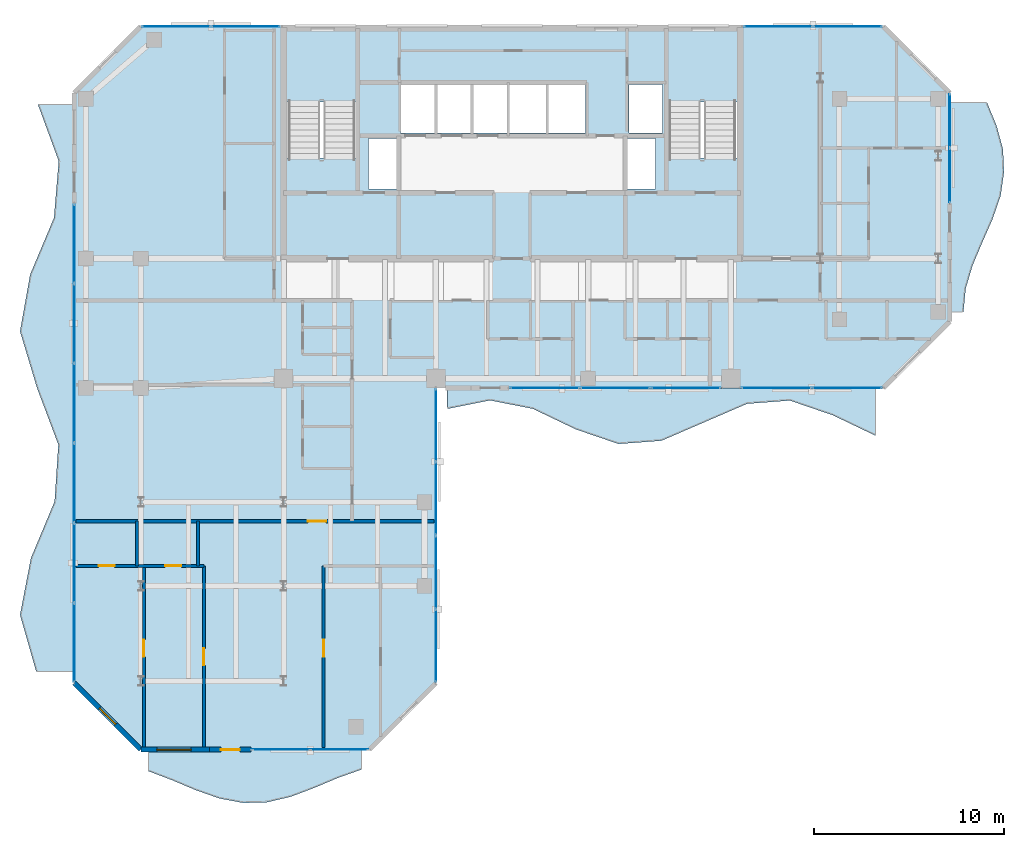
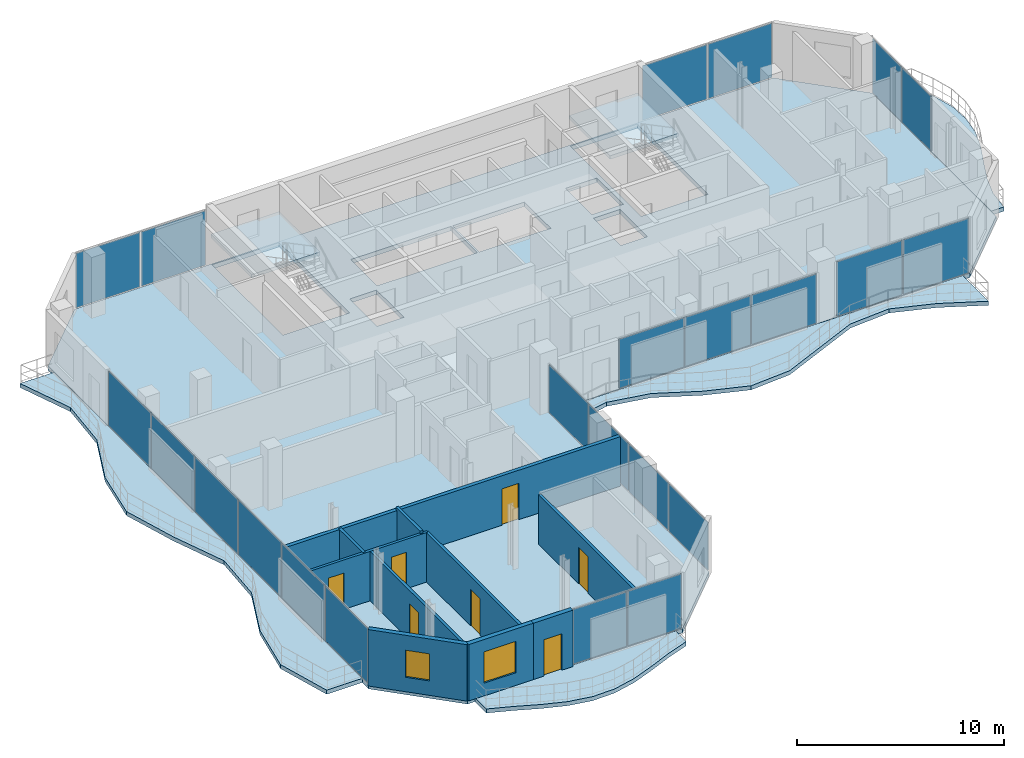
# One storey, part 17 of 23: 23 plates, 10 walls, 7 doors, 7 slabs, 2 windows, 9 openings, 10 elements without a shape of their own.
"""IFC4 building model written with IfcOpenShell, lengths in metres."""

from ifc_helpers import new_model, si_unit, direction, frame, frame_2d, origin, origin_2d, place, context, subcontext, project, spatial, polyline, rectangle, outline, extrude, material, layer, layer_set, type_object, element, fill, aggregate, save


model = new_model("IFC4")

# Units and contexts
model_context = context("Model", 3, precision=1e-05, world=origin(), true_north=direction((0.0, 1.0)))
body_context = subcontext(model_context, "Body", "Model", "MODEL_VIEW")
ifc_project = project(units=[si_unit("LENGTHUNIT", "METRE"), si_unit("AREAUNIT", "SQUARE_METRE"), si_unit("VOLUMEUNIT", "CUBIC_METRE"), si_unit("PLANEANGLEUNIT", "RADIAN"), si_unit("MASSUNIT", "GRAM", prefix="KILO")], contexts=[model_context])

# Site, building, storey
site_placement = place(None, origin())
site = spatial("IfcSite", under=ifc_project, at=site_placement, CompositionType="ELEMENT")
building_placement = place(site_placement, origin())
building = spatial("IfcBuilding", under=site, at=building_placement, Name="Catumbela Crestline Tower", CompositionType="ELEMENT")
storey_placement = place(building_placement, frame((0.0, 0.0, 175.8)))
storey = spatial("IfcBuildingStorey", under=building, at=storey_placement, Name="L45", CompositionType="ELEMENT", Elevation=175.8)

# Curtain wall, plates
ifc_material_1 = material(Name="Aluminium alloy AW-6060-T66", Category="aluminium")
ifc_layer_1 = layer(ifc_material_1, 0.18, Name="Aluminium alloy AW-6060-T66")
ifc_layer_set_1 = layer_set([ifc_layer_1], Name="Aluminium alloy AW-6060-T66")
curtain_wall_type = type_object("IfcCurtainWallType", Name="CWU-Z3", PredefinedType="USERDEFINED", material=ifc_layer_set_1)
curtain_wall_1_placement = place(storey_placement, origin())
curtain_wall_1 = element("IfcCurtainWall", 1, at=curtain_wall_1_placement, inside=storey, type_object=curtain_wall_type, Name="L45 Unitised Curtain Wall CW-L45-E0S2", ObjectType="UNITISED", PredefinedType="USERDEFINED")
ifc_material_2 = material(Name="Low-E laminated solar-control double glazing", Category="glass")
ifc_layer_2 = layer(ifc_material_2, 0.036, Name="Low-E laminated solar-control double glazing")
ifc_layer_set_2 = layer_set([ifc_layer_2], Name="Low-E laminated solar-control double glazing")
plate_type = type_object("IfcPlateType", Name="PNL-GLZ-Z3", PredefinedType="CURTAIN_PANEL", material=ifc_layer_set_2)
plate_1_placement = place(storey_placement, frame((15.8662, 5.0, 0.06), z_axis=(0.0, 0.0, 1.0), x_axis=(1.0, 0.0, 0.0)))
plate_1 = element("IfcPlate", 2, at=plate_1_placement, type_object=plate_type, Name="CWU-Z3 panel 1.1", PredefinedType="CURTAIN_PANEL", context=body_context, shape_type="SweptSolid", body=[
    extrude(rectangle(XDim=3.0025, YDim=0.034, at=origin_2d()), origin(), (0.0, 0.0, 1.0), 3.21),
])
plate_2_placement = place(storey_placement, frame((18.9338, 5.0, 0.06), z_axis=(0.0, 0.0, 1.0), x_axis=(1.0, 0.0, 0.0)))
plate_2 = element("IfcPlate", 3, at=plate_2_placement, type_object=plate_type, Name="CWU-Z3 panel 2.1", PredefinedType="CURTAIN_PANEL", context=body_context, shape_type="SweptSolid", body=[
    extrude(rectangle(XDim=3.0025, YDim=0.034, at=origin_2d()), origin(), (0.0, 0.0, 1.0), 3.21),
])
aggregate(curtain_wall_1, [plate_1, plate_2])

curtain_wall_2_placement = place(storey_placement, origin())
curtain_wall_2 = element("IfcCurtainWall", 4, at=curtain_wall_2_placement, inside=storey, type_object=curtain_wall_type, Name="L45 Unitised Curtain Wall CW-L45-E2S1", ObjectType="UNITISED", PredefinedType="USERDEFINED")
plate_3_placement = place(storey_placement, frame((24.0, 10.4538, 0.06), z_axis=(0.0, 0.0, 1.0), x_axis=(0.0, 1.0, 0.0)))
plate_3 = element("IfcPlate", 5, at=plate_3_placement, type_object=plate_type, Name="CWU-Z3 panel 1.1", PredefinedType="CURTAIN_PANEL", context=body_context, shape_type="SweptSolid", body=[
    extrude(rectangle(XDim=3.7775, YDim=0.034, at=origin_2d()), origin(), (0.0, 0.0, 1.0), 2.8),
])
plate_4_placement = place(storey_placement, frame((24.0, 14.3125, 0.06), z_axis=(0.0, 0.0, 1.0), x_axis=(0.0, 1.0, 0.0)))
plate_4 = element("IfcPlate", 6, at=plate_4_placement, type_object=plate_type, Name="CWU-Z3 panel 2.1", PredefinedType="CURTAIN_PANEL", context=body_context, shape_type="SweptSolid", body=[
    extrude(rectangle(XDim=3.81, YDim=0.034, at=origin_2d()), origin(), (0.0, 0.0, 1.0), 2.8),
])
plate_5_placement = place(storey_placement, frame((24.0, 18.1875, 0.06), z_axis=(0.0, 0.0, 1.0), x_axis=(0.0, 1.0, 0.0)))
plate_5 = element("IfcPlate", 7, at=plate_5_placement, type_object=plate_type, Name="CWU-Z3 panel 3.1", PredefinedType="CURTAIN_PANEL", context=body_context, shape_type="SweptSolid", body=[
    extrude(rectangle(XDim=3.81, YDim=0.034, at=origin_2d()), origin(), (0.0, 0.0, 1.0), 2.8),
])
plate_6_placement = place(storey_placement, frame((24.0, 22.0462, 0.06), z_axis=(0.0, 0.0, 1.0), x_axis=(0.0, 1.0, 0.0)))
plate_6 = element("IfcPlate", 8, at=plate_6_placement, type_object=plate_type, Name="CWU-Z3 panel 4.1", PredefinedType="CURTAIN_PANEL", context=body_context, shape_type="SweptSolid", body=[
    extrude(rectangle(XDim=3.7775, YDim=0.034, at=origin_2d()), origin(), (0.0, 0.0, 1.0), 2.8),
])
aggregate(curtain_wall_2, [plate_3, plate_4, plate_5, plate_6])

curtain_wall_3_placement = place(storey_placement, origin())
curtain_wall_3 = element("IfcCurtainWall", 9, at=curtain_wall_3_placement, inside=storey, type_object=curtain_wall_type, Name="L45 Unitised Curtain Wall CW-L45-E3S2", ObjectType="UNITISED", PredefinedType="USERDEFINED")
plate_7_placement = place(storey_placement, frame((29.7246, 24.0, 0.06), z_axis=(0.0, 0.0, 1.0), x_axis=(1.0, 0.0, 0.0)))
plate_7 = element("IfcPlate", 10, at=plate_7_placement, type_object=plate_type, Name="CWU-Z3 panel 1.1", PredefinedType="CURTAIN_PANEL", context=body_context, shape_type="SweptSolid", body=[
    extrude(rectangle(XDim=3.6192, YDim=0.034, at=origin_2d()), origin(), (0.0, 0.0, 1.0), 2.9),
])
plate_8_placement = place(storey_placement, frame((33.425, 24.0, 0.06), z_axis=(0.0, 0.0, 1.0), x_axis=(1.0, 0.0, 0.0)))
plate_8 = element("IfcPlate", 11, at=plate_8_placement, type_object=plate_type, Name="CWU-Z3 panel 2.1", PredefinedType="CURTAIN_PANEL", context=body_context, shape_type="SweptSolid", body=[
    extrude(rectangle(XDim=3.6517, YDim=0.034, at=origin_2d()), origin(), (0.0, 0.0, 1.0), 2.9),
])
plate_9_placement = place(storey_placement, frame((37.1254, 24.0, 0.06), z_axis=(0.0, 0.0, 1.0), x_axis=(1.0, 0.0, 0.0)))
plate_9 = element("IfcPlate", 12, at=plate_9_placement, type_object=plate_type, Name="CWU-Z3 panel 3.1", PredefinedType="CURTAIN_PANEL", context=body_context, shape_type="SweptSolid", body=[
    extrude(rectangle(XDim=3.6192, YDim=0.034, at=origin_2d()), origin(), (0.0, 0.0, 1.0), 2.9),
])
aggregate(curtain_wall_3, [plate_7, plate_8, plate_9])

curtain_wall_4_placement = place(storey_placement, origin())
curtain_wall_4 = element("IfcCurtainWall", 13, at=curtain_wall_4_placement, inside=storey, type_object=curtain_wall_type, Name="L45 Unitised Curtain Wall CW-L45-E3S3", ObjectType="UNITISED", PredefinedType="USERDEFINED")
plate_10_placement = place(storey_placement, frame((41.8912, 24.0, 0.06), z_axis=(0.0, 0.0, 1.0), x_axis=(1.0, 0.0, 0.0)))
plate_10 = element("IfcPlate", 14, at=plate_10_placement, type_object=plate_type, Name="CWU-Z3 panel 1.1", PredefinedType="CURTAIN_PANEL", context=body_context, shape_type="SweptSolid", body=[
    extrude(rectangle(XDim=3.6525, YDim=0.034, at=origin_2d()), origin(), (0.0, 0.0, 1.0), 3.21),
])
plate_11_placement = place(storey_placement, frame((45.6088, 24.0, 0.06), z_axis=(0.0, 0.0, 1.0), x_axis=(1.0, 0.0, 0.0)))
plate_11 = element("IfcPlate", 15, at=plate_11_placement, type_object=plate_type, Name="CWU-Z3 panel 2.1", PredefinedType="CURTAIN_PANEL", context=body_context, shape_type="SweptSolid", body=[
    extrude(rectangle(XDim=3.6525, YDim=0.034, at=origin_2d()), origin(), (0.0, 0.0, 1.0), 3.21),
])
aggregate(curtain_wall_4, [plate_10, plate_11])

curtain_wall_5_placement = place(storey_placement, origin())
curtain_wall_5 = element("IfcCurtainWall", 16, at=curtain_wall_5_placement, inside=storey, type_object=curtain_wall_type, Name="L45 Unitised Curtain Wall CW-L45-E5S2", ObjectType="UNITISED", PredefinedType="USERDEFINED")
plate_12_placement = place(storey_placement, frame((51.0, 35.1662, 0.06), z_axis=(0.0, 0.0, 1.0), x_axis=(0.0, 1.0, 0.0)))
plate_12 = element("IfcPlate", 17, at=plate_12_placement, type_object=plate_type, Name="CWU-Z3 panel 1.1", PredefinedType="CURTAIN_PANEL", context=body_context, shape_type="SweptSolid", body=[
    extrude(rectangle(XDim=2.8025, YDim=0.034, at=origin_2d()), origin(), (0.0, 0.0, 1.0), 3.21),
])
plate_13_placement = place(storey_placement, frame((51.0, 38.0338, 0.06), z_axis=(0.0, 0.0, 1.0), x_axis=(0.0, 1.0, 0.0)))
plate_13 = element("IfcPlate", 18, at=plate_13_placement, type_object=plate_type, Name="CWU-Z3 panel 2.1", PredefinedType="CURTAIN_PANEL", context=body_context, shape_type="SweptSolid", body=[
    extrude(rectangle(XDim=2.8025, YDim=0.034, at=origin_2d()), origin(), (0.0, 0.0, 1.0), 3.21),
])
aggregate(curtain_wall_5, [plate_12, plate_13])

curtain_wall_6_placement = place(storey_placement, origin())
curtain_wall_6 = element("IfcCurtainWall", 19, at=curtain_wall_6_placement, inside=storey, type_object=curtain_wall_type, Name="L45 Unitised Curtain Wall CW-L45-E7S1", ObjectType="UNITISED", PredefinedType="USERDEFINED")
plate_14_placement = place(storey_placement, frame((45.6438, 43.0, 0.06), z_axis=(0.0, 0.0, 1.0), x_axis=(-1.0, 0.0, 0.0)))
plate_14 = element("IfcPlate", 20, at=plate_14_placement, type_object=plate_type, Name="CWU-Z3 panel 1.1", PredefinedType="CURTAIN_PANEL", context=body_context, shape_type="SweptSolid", body=[
    extrude(rectangle(XDim=3.5825, YDim=0.034, at=origin_2d()), origin(), (0.0, 0.0, 1.0), 3.21),
])
plate_15_placement = place(storey_placement, frame((41.9963, 43.0, 0.06), z_axis=(0.0, 0.0, 1.0), x_axis=(-1.0, 0.0, 0.0)))
plate_15 = element("IfcPlate", 21, at=plate_15_placement, type_object=plate_type, Name="CWU-Z3 panel 2.1", PredefinedType="CURTAIN_PANEL", context=body_context, shape_type="SweptSolid", body=[
    extrude(rectangle(XDim=3.5825, YDim=0.034, at=origin_2d()), origin(), (0.0, 0.0, 1.0), 3.21),
])
aggregate(curtain_wall_6, [plate_14, plate_15])

curtain_wall_7_placement = place(storey_placement, origin())
curtain_wall_7 = element("IfcCurtainWall", 22, at=curtain_wall_7_placement, inside=storey, type_object=curtain_wall_type, Name="L45 Unitised Curtain Wall CW-L45-E7S2", ObjectType="UNITISED", PredefinedType="USERDEFINED")
plate_16_placement = place(storey_placement, frame((14.0038, 43.0, 0.06), z_axis=(0.0, 0.0, 1.0), x_axis=(-1.0, 0.0, 0.0)))
plate_16 = element("IfcPlate", 23, at=plate_16_placement, type_object=plate_type, Name="CWU-Z3 panel 1.1", PredefinedType="CURTAIN_PANEL", context=body_context, shape_type="SweptSolid", body=[
    extrude(rectangle(XDim=3.5825, YDim=0.034, at=origin_2d()), origin(), (0.0, 0.0, 1.0), 3.21),
])
plate_17_placement = place(storey_placement, frame((10.3562, 43.0, 0.06), z_axis=(0.0, 0.0, 1.0), x_axis=(-1.0, 0.0, 0.0)))
plate_17 = element("IfcPlate", 24, at=plate_17_placement, type_object=plate_type, Name="CWU-Z3 panel 2.1", PredefinedType="CURTAIN_PANEL", context=body_context, shape_type="SweptSolid", body=[
    extrude(rectangle(XDim=3.5825, YDim=0.034, at=origin_2d()), origin(), (0.0, 0.0, 1.0), 3.21),
])
aggregate(curtain_wall_7, [plate_16, plate_17])

curtain_wall_8_placement = place(storey_placement, origin())
curtain_wall_8 = element("IfcCurtainWall", 25, at=curtain_wall_8_placement, inside=storey, type_object=curtain_wall_type, Name="L45 Unitised Curtain Wall CW-L45-E9S2", ObjectType="UNITISED", PredefinedType="USERDEFINED")
plate_18_placement = place(storey_placement, frame((5.0, 31.5838, 0.06), z_axis=(0.0, 0.0, 1.0), x_axis=(0.0, -1.0, 0.0)))
plate_18 = element("IfcPlate", 26, at=plate_18_placement, type_object=plate_type, Name="CWU-Z3 panel 1.1", PredefinedType="CURTAIN_PANEL", context=body_context, shape_type="SweptSolid", body=[
    extrude(rectangle(XDim=4.1025, YDim=0.034, at=origin_2d()), origin(), (0.0, 0.0, 1.0), 3.21),
])
plate_19_placement = place(storey_placement, frame((5.0, 27.4, 0.06), z_axis=(0.0, 0.0, 1.0), x_axis=(0.0, -1.0, 0.0)))
plate_19 = element("IfcPlate", 27, at=plate_19_placement, type_object=plate_type, Name="CWU-Z3 panel 2.1", PredefinedType="CURTAIN_PANEL", context=body_context, shape_type="SweptSolid", body=[
    extrude(rectangle(XDim=4.135, YDim=0.034, at=origin_2d()), origin(), (0.0, 0.0, 1.0), 3.21),
])
plate_20_placement = place(storey_placement, frame((5.0, 23.2, 0.06), z_axis=(0.0, 0.0, 1.0), x_axis=(0.0, -1.0, 0.0)))
plate_20 = element("IfcPlate", 28, at=plate_20_placement, type_object=plate_type, Name="CWU-Z3 panel 3.1", PredefinedType="CURTAIN_PANEL", context=body_context, shape_type="SweptSolid", body=[
    extrude(rectangle(XDim=4.135, YDim=0.034, at=origin_2d()), origin(), (0.0, 0.0, 1.0), 3.21),
])
plate_21_placement = place(storey_placement, frame((5.0, 19.0, 0.06), z_axis=(0.0, 0.0, 1.0), x_axis=(0.0, -1.0, 0.0)))
plate_21 = element("IfcPlate", 29, at=plate_21_placement, type_object=plate_type, Name="CWU-Z3 panel 4.1", PredefinedType="CURTAIN_PANEL", context=body_context, shape_type="SweptSolid", body=[
    extrude(rectangle(XDim=4.135, YDim=0.034, at=origin_2d()), origin(), (0.0, 0.0, 1.0), 3.21),
])
plate_22_placement = place(storey_placement, frame((5.0, 14.8, 0.06), z_axis=(0.0, 0.0, 1.0), x_axis=(0.0, -1.0, 0.0)))
plate_22 = element("IfcPlate", 30, at=plate_22_placement, type_object=plate_type, Name="CWU-Z3 panel 5.1", PredefinedType="CURTAIN_PANEL", context=body_context, shape_type="SweptSolid", body=[
    extrude(rectangle(XDim=4.135, YDim=0.034, at=origin_2d()), origin(), (0.0, 0.0, 1.0), 3.21),
])
plate_23_placement = place(storey_placement, frame((5.0, 10.6163, 0.06), z_axis=(0.0, 0.0, 1.0), x_axis=(0.0, -1.0, 0.0)))
plate_23 = element("IfcPlate", 31, at=plate_23_placement, type_object=plate_type, Name="CWU-Z3 panel 6.1", PredefinedType="CURTAIN_PANEL", context=body_context, shape_type="SweptSolid", body=[
    extrude(rectangle(XDim=4.1025, YDim=0.034, at=origin_2d()), origin(), (0.0, 0.0, 1.0), 3.21),
])
aggregate(curtain_wall_8, [plate_18, plate_19, plate_20, plate_21, plate_22, plate_23])

# Stair, slab
ifc_material_3 = material(Name="Concrete C45/55", Category="concrete")
stair_type = type_object("IfcStairType", Name="ST-DLG", PredefinedType="HALF_TURN_STAIR", material=ifc_material_3)
stair_1_placement = place(storey_placement, origin())
stair_1 = element("IfcStair", 32, at=stair_1_placement, inside=storey, type_object=stair_type, Name="L45 West Core Pressurised Exit Stair ST-01", PredefinedType="HALF_TURN_STAIR")
ifc_layer_3 = layer(ifc_material_3, 0.2, Name="Concrete C45/55")
ifc_layer_set_3 = layer_set([ifc_layer_3], Name="Concrete C45/55")
slab_type_1 = type_object("IfcSlabType", Name="SL-LND", PredefinedType="LANDING", material=ifc_layer_set_3)
slab_1_placement = place(storey_placement, frame((0.0, 0.0, 1.6)))
slab_1 = element("IfcSlab", 33, at=slab_1_placement, type_object=slab_type_1, Name="ST-01 landing 1", PredefinedType="LANDING", context=body_context, shape_type="SweptSolid", body=[
    extrude(outline(polyline([(19.91, 39.02), (19.91, 42.96), (16.09, 42.96), (16.09, 39.02), (19.91, 39.02)])), origin(), (0.0, 0.0, 1.0), 0.2),
])
aggregate(stair_1, [slab_1])

stair_2_placement = place(storey_placement, origin())
stair_2 = element("IfcStair", 34, at=stair_2_placement, inside=storey, type_object=stair_type, Name="L45 East Core Pressurised Exit Stair ST-02", PredefinedType="HALF_TURN_STAIR")
slab_2_placement = place(storey_placement, frame((0.0, 0.0, 1.6)))
slab_2 = element("IfcSlab", 35, at=slab_2_placement, type_object=slab_type_1, Name="ST-02 landing 1", PredefinedType="LANDING", context=body_context, shape_type="SweptSolid", body=[
    extrude(outline(polyline([(39.91, 39.02), (39.91, 42.96), (36.09, 42.96), (36.09, 39.02), (39.91, 39.02)])), origin(), (0.0, 0.0, 1.0), 0.2),
])
aggregate(stair_2, [slab_2])

# Slabs
ifc_layer_4 = layer(ifc_material_3, 0.26, Name="Concrete C45/55")
ifc_layer_set_4 = layer_set([ifc_layer_4], Name="Concrete C45/55")
slab_type_2 = type_object("IfcSlabType", Name="SL-260", PredefinedType="FLOOR", material=ifc_layer_set_4)
slab_3_placement = place(storey_placement, frame((0.0, 0.0, -0.26)))
element("IfcSlab", 36, at=slab_3_placement, inside=storey, type_object=slab_type_2, Name="L45 Structural Floor Slab", PredefinedType="FLOOR", context=body_context, shape_type="SweptSolid", body=[
    extrude(outline(polyline([(8.5, 5.0), (20.5, 5.0), (24.0, 8.5), (24.0, 24.0), (47.5, 24.0), (51.0, 27.5), (51.0, 39.5), (47.5, 43.0), (8.5, 43.0), (5.0, 39.5), (5.0, 8.5), (8.5, 5.0)]), holes=[polyline([(16.13, 36.08), (19.87, 36.08), (19.87, 42.92), (16.13, 42.92), (16.13, 36.08)]), polyline([(36.13, 36.08), (39.87, 36.08), (39.87, 42.92), (36.13, 42.92), (36.13, 36.08)]), polyline([(22.15, 37.4), (27.75, 37.4), (27.75, 39.95), (22.15, 39.95), (22.15, 37.4)]), polyline([(27.85, 37.4), (31.85, 37.4), (31.85, 39.95), (27.85, 39.95), (27.85, 37.4)]), polyline([(20.45, 34.45), (21.95, 34.45), (21.95, 37.1), (20.45, 37.1), (20.45, 34.45)]), polyline([(34.05, 34.45), (35.55, 34.45), (35.55, 37.1), (34.05, 37.1), (34.05, 34.45)]), polyline([(34.15, 37.4), (35.9, 37.4), (35.9, 39.95), (34.15, 39.95), (34.15, 37.4)])]), origin(), (0.0, 0.0, 1.0), 0.26),
])
ifc_layer_5 = layer(ifc_material_3, 0.24, Name="Concrete C45/55")
ifc_layer_set_5 = layer_set([ifc_layer_5], Name="Concrete C45/55")
slab_type_3 = type_object("IfcSlabType", Name="SB-240W", PredefinedType="USERDEFINED", material=ifc_layer_set_5)
slab_4_placement = place(storey_placement, frame((0.0, 0.0, -0.24)))
element("IfcSlab", 37, at=slab_4_placement, inside=storey, type_object=slab_type_3, Name="L45 Cantilevered Wave Balcony Slab SPINE-S", ObjectType="BALCONY", PredefinedType="USERDEFINED", context=body_context, shape_type="SweptSolid", body=[
    extrude(outline(polyline([(24.6, 22.9053), (26.85, 23.35), (29.1, 22.9053), (31.35, 21.8292), (33.6, 21.0587), (35.85, 21.2292), (38.1, 22.2), (40.35, 23.1708), (42.6, 23.3413), (44.85, 22.5708), (47.1, 21.4947), (47.1, 23.99), (24.6, 23.99), (24.6, 22.9053)])), origin(), (0.0, 0.0, 1.0), 0.24),
])
slab_5_placement = place(storey_placement, frame((0.0, 0.0, -0.24)))
element("IfcSlab", 38, at=slab_5_placement, inside=storey, type_object=slab_type_3, Name="L45 Cantilevered Wave Balcony Slab SPINE-E", ObjectType="BALCONY", PredefinedType="USERDEFINED", context=body_context, shape_type="SweptSolid", body=[
    extrude(outline(polyline([(51.01, 28.0), (51.721, 28.0), (51.8369, 29.2222), (52.1997, 30.4444), (52.7165, 31.6667), (53.2547, 32.8889), (53.6763, 34.1111), (53.85, 35.3333), (53.7949, 36.5556), (53.4614, 37.7778), (52.9584, 39.0), (51.01, 39.0), (51.01, 28.0)])), origin(), (0.0, 0.0, 1.0), 0.24),
])
slab_6_placement = place(storey_placement, frame((0.0, 0.0, -0.24)))
element("IfcSlab", 39, at=slab_6_placement, inside=storey, type_object=slab_type_3, Name="L45 Cantilevered Wave Balcony Slab WING-S", ObjectType="BALCONY", PredefinedType="USERDEFINED", context=body_context, shape_type="SweptSolid", body=[
    extrude(outline(polyline([(8.9, 3.8674), (10.1444, 3.3946), (11.3889, 2.8702), (12.6333, 2.4333), (13.8778, 2.2001), (15.1222, 2.2325), (16.3667, 2.5219), (17.6111, 2.9914), (18.8556, 3.5163), (20.1, 3.9572), (20.1, 4.99), (8.9, 4.99), (8.9, 3.8674)])), origin(), (0.0, 0.0, 1.0), 0.24),
])
slab_7_placement = place(storey_placement, frame((0.0, 0.0, -0.24)))
element("IfcSlab", 40, at=slab_7_placement, inside=storey, type_object=slab_type_3, Name="L45 Cantilevered Wave Balcony Slab WEST", ObjectType="BALCONY", PredefinedType="USERDEFINED", context=body_context, shape_type="SweptSolid", body=[
    extrude(outline(polyline([(4.99, 38.9), (3.089, 38.9), (4.1837, 35.92), (3.9346, 32.94), (2.682, 29.96), (2.15, 26.98), (3.0441, 24.0), (4.1642, 21.02), (3.9671, 18.04), (2.7221, 15.06), (2.15, 12.08), (2.9995, 9.1), (4.99, 9.1), (4.99, 38.9)])), origin(), (0.0, 0.0, 1.0), 0.24),
])

# Wall, opening, door
ifc_material_4 = material(Name="Angolan grey-ochre granite", Category="masonry")
ifc_layer_6 = layer(ifc_material_4, 0.25, Name="Angolan grey-ochre granite")
ifc_layer_set_6 = layer_set([ifc_layer_6], Name="Angolan grey-ochre granite")
wall_type_1 = type_object("IfcWallType", Name="WE-250", PredefinedType="STANDARD", material=ifc_layer_set_6)
wall_1_placement = place(storey_placement, frame((12.1, 5.0, 0.0), z_axis=(0.0, 0.0, 1.0), x_axis=(1.0, 0.0, 0.0)))
wall_1 = element("IfcWall", 41, at=wall_1_placement, inside=storey, type_object=wall_type_1, Name="L45 Exterior Threshold Portal Wall DR-L45-WBAL-3", PredefinedType="STANDARD", context=body_context, shape_type="SweptSolid", body=[
    extrude(rectangle(XDim=2.2, YDim=0.25, at=frame_2d((1.1, 0.0))), origin(), (0.0, 0.0, 1.0), 3.33),
])
opening_1_placement = place(wall_1_placement, frame((0.6, 0.0, 0.0)))
opening_1 = element("IfcOpeningElement", 42, at=opening_1_placement, cuts=wall_1, Name="Opening DB-L45-3", PredefinedType="OPENING", context=body_context, shape_type="SweptSolid", body=[
    extrude(rectangle(XDim=1.0, YDim=2.15, at=frame_2d((0.5, 1.075))), frame((0.0, 0.135, 0.0), z_axis=(0.0, -1.0, 0.0), x_axis=(1.0, 0.0, 0.0)), (0.0, 0.0, 1.0), 0.27),
])
door_type_1 = type_object("IfcDoorType", Name="DB-1000", OperationType="NOTDEFINED", PredefinedType="DOOR", material=ifc_material_1)
door_1_placement = place(opening_1_placement, origin())
door_1 = element("IfcDoor", 43, at=door_1_placement, inside=storey, type_object=door_type_1, Name="L45 Wave Balcony Terrace Door 3", OperationType="SINGLE_SWING_LEFT", OverallHeight=2.15, OverallWidth=1.0, PredefinedType="DOOR", context=body_context, shape_type="SweptSolid", body=[
    extrude(rectangle(XDim=1.0, YDim=2.15, at=frame_2d((0.5, 1.075))), frame((0.0, 0.025, 0.0), z_axis=(0.0, -1.0, 0.0), x_axis=(1.0, 0.0, 0.0)), (0.0, 0.0, 1.0), 0.05),
])
fill(opening_1, door_1)

# Wall, opening, window
wall_2_placement = place(storey_placement, frame((8.5, 5.0, 0.0), z_axis=(0.0, 0.0, 1.0), x_axis=(1.0, 0.0, 0.0)))
wall_2 = element("IfcWall", 44, at=wall_2_placement, inside=storey, type_object=wall_type_1, Name="L45 Granite Punched Window Wall 0-1", PredefinedType="STANDARD", context=body_context, shape_type="SweptSolid", body=[
    extrude(rectangle(XDim=3.6, YDim=0.25, at=frame_2d((1.8, 0.0))), origin(), (0.0, 0.0, 1.0), 3.33),
])
opening_2_placement = place(wall_2_placement, frame((0.835, 0.0, 0.75)))
opening_2 = element("IfcOpeningElement", 45, at=opening_2_placement, cuts=wall_2, Name="Opening WN-01", PredefinedType="OPENING", context=body_context, shape_type="SweptSolid", body=[
    extrude(rectangle(XDim=1.8, YDim=1.85, at=frame_2d((0.9, 0.925))), frame((0.0, 0.135, 0.0), z_axis=(0.0, -1.0, 0.0), x_axis=(1.0, 0.0, 0.0)), (0.0, 0.0, 1.0), 0.27),
])
window_type_1 = type_object("IfcWindowType", Name="WF-1800", PartitioningType="SINGLE_PANEL", PredefinedType="WINDOW", material=ifc_material_2)
window_1_placement = place(opening_2_placement, origin())
window_1 = element("IfcWindow", 46, at=window_1_placement, inside=storey, type_object=window_type_1, Name="L45 Facade Vision Window 277", OverallHeight=1.85, OverallWidth=1.8, PartitioningType="SINGLE_PANEL", PredefinedType="WINDOW", context=body_context, shape_type="SweptSolid", body=[
    extrude(rectangle(XDim=1.8, YDim=1.85, at=frame_2d((0.9, 0.925))), frame((0.0, 0.03, 0.0), z_axis=(0.0, -1.0, 0.0), x_axis=(1.0, 0.0, 0.0)), (0.0, 0.0, 1.0), 0.06),
])
fill(opening_2, window_1)

wall_3_placement = place(storey_placement, frame((5.0, 8.5, 0.0), z_axis=(0.0, 0.0, 1.0), x_axis=(0.707106781187, -0.707106781187, 0.0)))
wall_3 = element("IfcWall", 47, at=wall_3_placement, inside=storey, type_object=wall_type_1, Name="L45 Granite Punched Window Wall 10-1", PredefinedType="STANDARD", context=body_context, shape_type="SweptSolid", body=[
    extrude(rectangle(XDim=4.9497, YDim=0.25, at=frame_2d((2.4748, 0.0))), origin(), (0.0, 0.0, 1.0), 3.33),
])
opening_3_placement = place(wall_3_placement, frame((1.8748, 0.0, 0.85)))
opening_3 = element("IfcOpeningElement", 48, at=opening_3_placement, cuts=wall_3, Name="Opening WN-02", PredefinedType="OPENING", context=body_context, shape_type="SweptSolid", body=[
    extrude(rectangle(XDim=1.2, YDim=1.6, at=frame_2d((0.6, 0.8))), frame((0.0, 0.135, 0.0), z_axis=(0.0, -1.0, 0.0), x_axis=(1.0, 0.0, 0.0)), (0.0, 0.0, 1.0), 0.27),
])
window_type_2 = type_object("IfcWindowType", Name="WO-1200", PartitioningType="SINGLE_PANEL", PredefinedType="WINDOW", material=ifc_material_2)
window_2_placement = place(opening_3_placement, origin())
window_2 = element("IfcWindow", 49, at=window_2_placement, inside=storey, type_object=window_type_2, Name="L45 Facade Vision Window 284", OverallHeight=1.6, OverallWidth=1.2, PartitioningType="SINGLE_PANEL", PredefinedType="WINDOW", context=body_context, shape_type="SweptSolid", body=[
    extrude(rectangle(XDim=1.2, YDim=1.6, at=frame_2d((0.6, 0.8))), frame((0.0, 0.03, 0.0), z_axis=(0.0, -1.0, 0.0), x_axis=(1.0, 0.0, 0.0)), (0.0, 0.0, 1.0), 0.06),
])
fill(opening_3, window_2)

# Walls
ifc_material_5 = material(Name="Acoustic gypsum and mineral-wool partition")
ifc_layer_7 = layer(ifc_material_5, 0.15, Name="Acoustic gypsum and mineral-wool partition")
ifc_layer_set_7 = layer_set([ifc_layer_7], Name="Acoustic gypsum and mineral-wool partition")
wall_type_2 = type_object("IfcWallType", Name="WP-150", PredefinedType="PARTITIONING", material=ifc_layer_set_7)
wall_4_placement = place(storey_placement, frame((11.5, 14.65, 0.0), z_axis=(0.0, 0.0, 1.0), x_axis=(0.0, 1.0, 0.0)))
element("IfcWall", 50, at=wall_4_placement, inside=storey, type_object=wall_type_2, Name="L45 Interior Partition PW-L45-SH1-KBE", PredefinedType="PARTITIONING", context=body_context, shape_type="SweptSolid", body=[
    extrude(rectangle(XDim=2.35, YDim=0.15, at=frame_2d((1.175, 0.0))), origin(), (0.0, 0.0, 1.0), 3.07),
])
wall_5_placement = place(storey_placement, frame((8.3, 14.65, 0.0), z_axis=(0.0, 0.0, 1.0), x_axis=(0.0, 1.0, 0.0)))
element("IfcWall", 51, at=wall_5_placement, inside=storey, type_object=wall_type_2, Name="L45 Interior Partition PW-L45-SH1-KBM", PredefinedType="PARTITIONING", context=body_context, shape_type="SweptSolid", body=[
    extrude(rectangle(XDim=2.35, YDim=0.15, at=frame_2d((1.175, 0.0))), origin(), (0.0, 0.0, 1.0), 2.92),
])

# Wall, openings, doors
wall_6_placement = place(storey_placement, frame((5.1, 14.65, 0.0), z_axis=(0.0, 0.0, 1.0), x_axis=(1.0, 0.0, 0.0)))
wall_6 = element("IfcWall", 52, at=wall_6_placement, inside=storey, type_object=wall_type_2, Name="L45 Interior Partition PW-L45-SH1-KBD1", PredefinedType="PARTITIONING", context=body_context, shape_type="SweptSolid", body=[
    extrude(rectangle(XDim=6.71, YDim=0.15, at=frame_2d((3.355, 0.0))), origin(), (0.0, 0.0, 1.0), 2.92),
])
opening_4_placement = place(wall_6_placement, frame((1.175, 0.0, 0.0)))
opening_4 = element("IfcOpeningElement", 53, at=opening_4_placement, cuts=wall_6, Name="Opening DI-085", PredefinedType="OPENING", context=body_context, shape_type="SweptSolid", body=[
    extrude(rectangle(XDim=0.85, YDim=2.15, at=frame_2d((0.425, 1.075))), frame((0.0, 0.085, 0.0), z_axis=(0.0, -1.0, 0.0), x_axis=(1.0, 0.0, 0.0)), (0.0, 0.0, 1.0), 0.17),
])
opening_5_placement = place(wall_6_placement, frame((4.6795, 0.0, 0.0)))
opening_5 = element("IfcOpeningElement", 54, at=opening_5_placement, cuts=wall_6, Name="Opening DI-085", PredefinedType="OPENING", context=body_context, shape_type="SweptSolid", body=[
    extrude(rectangle(XDim=0.85, YDim=2.15, at=frame_2d((0.425, 1.075))), frame((0.0, 0.085, 0.0), z_axis=(0.0, -1.0, 0.0), x_axis=(1.0, 0.0, 0.0)), (0.0, 0.0, 1.0), 0.17),
])
door_type_2 = type_object("IfcDoorType", Name="DI-085", OperationType="NOTDEFINED", PredefinedType="DOOR", material=ifc_material_1)
door_2_placement = place(opening_4_placement, origin())
door_2 = element("IfcDoor", 55, at=door_2_placement, inside=storey, type_object=door_type_2, Name="L45 Interior Door DR-L45-SH1-KIT", OperationType="SINGLE_SWING_LEFT", OverallHeight=2.15, OverallWidth=0.85, PredefinedType="DOOR", context=body_context, shape_type="SweptSolid", body=[
    extrude(rectangle(XDim=0.85, YDim=2.15, at=frame_2d((0.425, 1.075))), frame((0.0, 0.025, 0.0), z_axis=(0.0, -1.0, 0.0), x_axis=(1.0, 0.0, 0.0)), (0.0, 0.0, 1.0), 0.05),
])
fill(opening_4, door_2)
door_3_placement = place(opening_5_placement, origin())
door_3 = element("IfcDoor", 56, at=door_3_placement, inside=storey, type_object=door_type_2, Name="L45 Interior Door DR-L45-SH1-BTH", OperationType="SINGLE_SWING_RIGHT", OverallHeight=2.15, OverallWidth=0.85, PredefinedType="DOOR", context=body_context, shape_type="SweptSolid", body=[
    extrude(rectangle(XDim=0.85, YDim=2.15, at=frame_2d((0.425, 1.075))), frame((0.0, 0.025, 0.0), z_axis=(0.0, -1.0, 0.0), x_axis=(1.0, 0.0, 0.0)), (0.0, 0.0, 1.0), 0.05),
])
fill(opening_5, door_3)

# Wall, opening, door
wall_7_placement = place(storey_placement, frame((8.66, 5.1, 0.0), z_axis=(0.0, 0.0, 1.0), x_axis=(0.0, 1.0, 0.0)))
wall_7 = element("IfcWall", 57, at=wall_7_placement, inside=storey, type_object=wall_type_2, Name="L45 Interior Partition PW-L45-SH1-BDL", PredefinedType="PARTITIONING", context=body_context, shape_type="SweptSolid", body=[
    extrude(rectangle(XDim=9.55, YDim=0.15, at=frame_2d((4.775, 0.0))), origin(), (0.0, 0.0, 1.0), 2.92),
])
opening_6_placement = place(wall_7_placement, frame((4.7789, 0.0, 0.0)))
opening_6 = element("IfcOpeningElement", 58, at=opening_6_placement, cuts=wall_7, Name="Opening DI-090", PredefinedType="OPENING", context=body_context, shape_type="SweptSolid", body=[
    extrude(rectangle(XDim=0.9, YDim=2.15, at=frame_2d((0.45, 1.075))), frame((0.0, 0.085, 0.0), z_axis=(0.0, -1.0, 0.0), x_axis=(1.0, 0.0, 0.0)), (0.0, 0.0, 1.0), 0.17),
])
door_type_3 = type_object("IfcDoorType", Name="DI-090", OperationType="NOTDEFINED", PredefinedType="DOOR", material=ifc_material_1)
door_4_placement = place(opening_6_placement, origin())
door_4 = element("IfcDoor", 59, at=door_4_placement, inside=storey, type_object=door_type_3, Name="L45 Interior Door DR-L45-SH1-BD1", OperationType="SINGLE_SWING_LEFT", OverallHeight=2.15, OverallWidth=0.9, PredefinedType="DOOR", context=body_context, shape_type="SweptSolid", body=[
    extrude(rectangle(XDim=0.9, YDim=2.15, at=frame_2d((0.45, 1.075))), frame((0.0, 0.025, 0.0), z_axis=(0.0, -1.0, 0.0), x_axis=(1.0, 0.0, 0.0)), (0.0, 0.0, 1.0), 0.05),
])
fill(opening_6, door_4)

wall_8_placement = place(storey_placement, frame((18.1, 5.1, 0.0), z_axis=(0.0, 0.0, 1.0), x_axis=(0.0, 1.0, 0.0)))
wall_8 = element("IfcWall", 60, at=wall_8_placement, inside=storey, type_object=wall_type_2, Name="L45 Interior Partition PW-L45-SH1-STW", PredefinedType="PARTITIONING", context=body_context, shape_type="SweptSolid", body=[
    extrude(rectangle(XDim=9.55, YDim=0.15, at=frame_2d((4.775, 0.0))), origin(), (0.0, 0.0, 1.0), 2.92),
])
opening_7_placement = place(wall_8_placement, frame((4.7789, 0.0, 0.0)))
opening_7 = element("IfcOpeningElement", 61, at=opening_7_placement, cuts=wall_8, Name="Opening DI-090", PredefinedType="OPENING", context=body_context, shape_type="SweptSolid", body=[
    extrude(rectangle(XDim=0.9, YDim=2.15, at=frame_2d((0.45, 1.075))), frame((0.0, 0.085, 0.0), z_axis=(0.0, -1.0, 0.0), x_axis=(1.0, 0.0, 0.0)), (0.0, 0.0, 1.0), 0.17),
])
door_5_placement = place(opening_7_placement, origin())
door_5 = element("IfcDoor", 62, at=door_5_placement, inside=storey, type_object=door_type_3, Name="L45 Interior Door DR-L45-SH1-STDY", OperationType="SINGLE_SWING_RIGHT", OverallHeight=2.15, OverallWidth=0.9, PredefinedType="DOOR", context=body_context, shape_type="SweptSolid", body=[
    extrude(rectangle(XDim=0.9, YDim=2.15, at=frame_2d((0.45, 1.075))), frame((0.0, 0.025, 0.0), z_axis=(0.0, -1.0, 0.0), x_axis=(1.0, 0.0, 0.0)), (0.0, 0.0, 1.0), 0.05),
])
fill(opening_7, door_5)

wall_9_placement = place(storey_placement, frame((11.81, 5.1, 0.0), z_axis=(0.0, 0.0, 1.0), x_axis=(0.0, 1.0, 0.0)))
wall_9 = element("IfcWall", 63, at=wall_9_placement, inside=storey, type_object=wall_type_2, Name="L45 Interior Partition PW-L45-SH1-DNW", PredefinedType="PARTITIONING", context=body_context, shape_type="SweptSolid", body=[
    extrude(rectangle(XDim=9.55, YDim=0.15, at=frame_2d((4.775, 0.0))), origin(), (0.0, 0.0, 1.0), 2.92),
])
opening_8_placement = place(wall_9_placement, frame((4.325, 0.0, 0.0)))
opening_8 = element("IfcOpeningElement", 64, at=opening_8_placement, cuts=wall_9, Name="Opening DI-090", PredefinedType="OPENING", context=body_context, shape_type="SweptSolid", body=[
    extrude(rectangle(XDim=0.9, YDim=2.15, at=frame_2d((0.45, 1.075))), frame((0.0, 0.085, 0.0), z_axis=(0.0, -1.0, 0.0), x_axis=(1.0, 0.0, 0.0)), (0.0, 0.0, 1.0), 0.17),
])
door_6_placement = place(opening_8_placement, origin())
door_6 = element("IfcDoor", 65, at=door_6_placement, inside=storey, type_object=door_type_3, Name="L45 Interior Door DR-L45-SH1-FDIN", OperationType="SINGLE_SWING_LEFT", OverallHeight=2.15, OverallWidth=0.9, PredefinedType="DOOR", context=body_context, shape_type="SweptSolid", body=[
    extrude(rectangle(XDim=0.9, YDim=2.15, at=frame_2d((0.45, 1.075))), frame((0.0, 0.025, 0.0), z_axis=(0.0, -1.0, 0.0), x_axis=(1.0, 0.0, 0.0)), (0.0, 0.0, 1.0), 0.05),
])
fill(opening_8, door_6)

ifc_layer_8 = layer(ifc_material_5, 0.2, Name="Acoustic gypsum and mineral-wool partition")
ifc_layer_set_8 = layer_set([ifc_layer_8], Name="Acoustic gypsum and mineral-wool partition")
wall_type_3 = type_object("IfcWallType", Name="WY-200", PredefinedType="PARTITIONING", material=ifc_layer_set_8)
wall_10_placement = place(storey_placement, frame((5.1, 17.0, 0.0), z_axis=(0.0, 0.0, 1.0), x_axis=(1.0, 0.0, 0.0)))
wall_10 = element("IfcWall", 66, at=wall_10_placement, inside=storey, type_object=wall_type_3, Name="L45 Interior Partition PW-L45-SH-WL", PredefinedType="PARTITIONING", context=body_context, shape_type="SweptSolid", body=[
    extrude(rectangle(XDim=18.8, YDim=0.2, at=frame_2d((9.4, 0.0))), origin(), (0.0, 0.0, 1.0), 2.92),
])
opening_9_placement = place(wall_10_placement, frame((12.1791, 0.0, 0.0)))
opening_9 = element("IfcOpeningElement", 67, at=opening_9_placement, cuts=wall_10, Name="Opening DF6-095", PredefinedType="OPENING", context=body_context, shape_type="SweptSolid", body=[
    extrude(rectangle(XDim=0.95, YDim=2.15, at=frame_2d((0.475, 1.075))), frame((0.0, 0.11, 0.0), z_axis=(0.0, -1.0, 0.0), x_axis=(1.0, 0.0, 0.0)), (0.0, 0.0, 1.0), 0.22),
])
door_type_4 = type_object("IfcDoorType", Name="DF6-095", OperationType="NOTDEFINED", PredefinedType="DOOR", material=ifc_material_1)
door_7_placement = place(opening_9_placement, origin())
door_7 = element("IfcDoor", 68, at=door_7_placement, inside=storey, type_object=door_type_4, Name="L45 Interior Door DR-L45-SH1-ENT", OperationType="SINGLE_SWING_RIGHT", OverallHeight=2.15, OverallWidth=0.95, PredefinedType="DOOR", context=body_context, shape_type="SweptSolid", body=[
    extrude(rectangle(XDim=0.95, YDim=2.15, at=frame_2d((0.475, 1.075))), frame((0.0, 0.025, 0.0), z_axis=(0.0, -1.0, 0.0), x_axis=(1.0, 0.0, 0.0)), (0.0, 0.0, 1.0), 0.05),
])
fill(opening_9, door_7)

save(model, "model.ifc")
